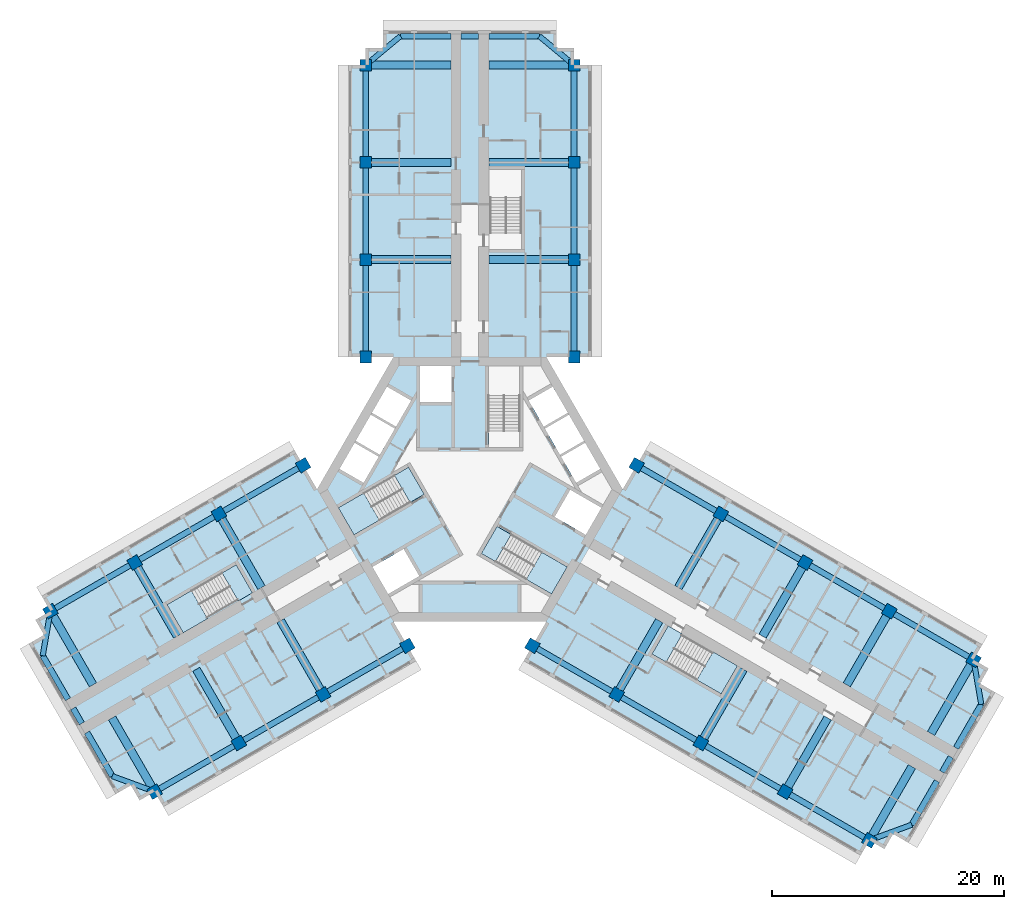
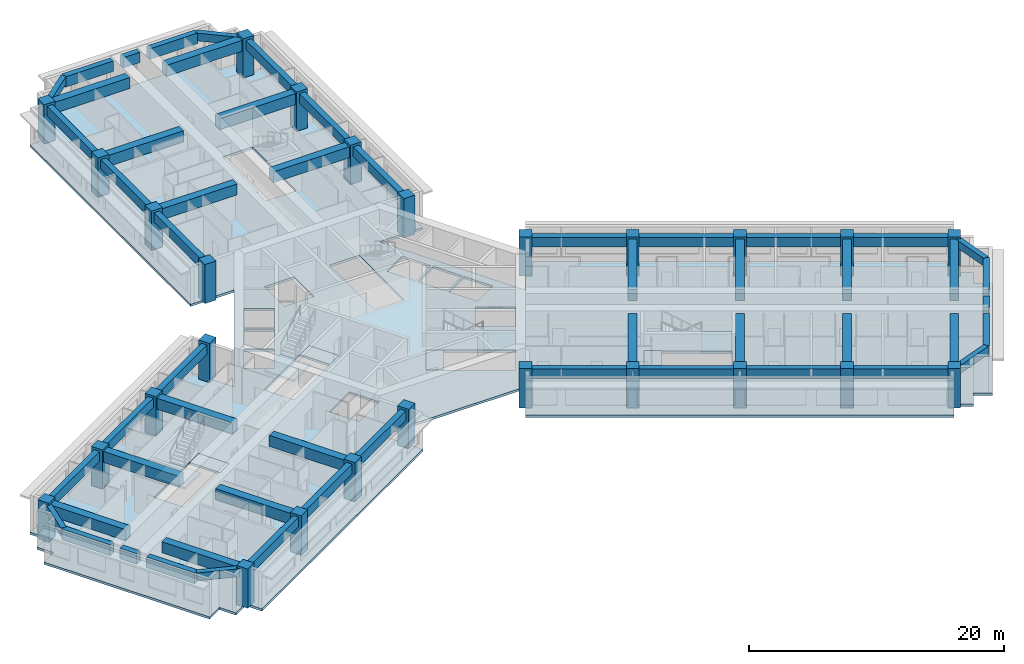
# One storey, part 1 of 13: 55 beams, 26 columns, 9 slabs, 4 elements without a shape of their own.
"""IFC4 building model written with IfcOpenShell, lengths in metres."""

from ifc_helpers import new_model, si_unit, direction, frame, origin, origin_2d, place, context, subcontext, project, spatial, polyline, rectangle, outline, extrude, material, layer, layer_set, material_profile, profile_set, type_object, element, aggregate, save


model = new_model("IFC4")

# Units and contexts
model_context = context("Model", 3, precision=1e-05, world=origin(), true_north=direction((0.0, 1.0)))
body_context = subcontext(model_context, "Body", "Model", "MODEL_VIEW")
ifc_project = project(units=[si_unit("LENGTHUNIT", "METRE"), si_unit("AREAUNIT", "SQUARE_METRE"), si_unit("VOLUMEUNIT", "CUBIC_METRE"), si_unit("PLANEANGLEUNIT", "RADIAN"), si_unit("MASSUNIT", "GRAM", prefix="KILO")], contexts=[model_context])

# Site, building, storey
site_placement = place(None, origin())
site = spatial("IfcSite", under=ifc_project, at=site_placement, CompositionType="ELEMENT")
building_placement = place(site_placement, origin())
building = spatial("IfcBuilding", under=site, at=building_placement, Name="Impinga Residences", CompositionType="ELEMENT")
storey_placement = place(building_placement, frame((0.0, 0.0, 136.0)))
storey = spatial("IfcBuildingStorey", under=building, at=storey_placement, Name="L33", CompositionType="ELEMENT", Elevation=136.0)

# Columns
ifc_material_1 = material(Name="Concrete C60/75", Category="concrete")
ifc_material_profile_1 = material_profile(ifc_material_1, rectangle(XDim=1.0, YDim=1.0, at=origin_2d()), Name="RC 1000x1000")
ifc_profile_set_1 = profile_set([ifc_material_profile_1], Name="Concrete C60/75")
column_type = type_object("IfcColumnType", Name="C3 1000x1000 column", PredefinedType="COLUMN", material=ifc_profile_set_1)
for number, where, z_axis, x_axis, name in (
    (1, (-9.0, 11.431640625, 0.0), (0.0, 0.0, 1.0), (1.0, 0.0, 0.0), "Column C3 N1/NA L33"),
    (2, (9.0, 11.431640625, 0.0), (0.0, 0.0, 1.0), (1.0, 0.0, 0.0), "Column C3 N1/NF L33"),
    (3, (-9.0, 19.83154296875, 0.0), (0.0, 0.0, 1.0), (1.0, 0.0, 0.0), "Column C3 N2/NA L33"),
    (4, (9.0, 19.83154296875, 0.0), (0.0, 0.0, 1.0), (1.0, 0.0, 0.0), "Column C3 N2/NF L33"),
    (5, (-9.0, 28.2314453125, 0.0), (0.0, 0.0, 1.0), (1.0, 0.0, 0.0), "Column C3 N3/NA L33"),
    (6, (9.0, 28.2314453125, 0.0), (0.0, 0.0, 1.0), (1.0, 0.0, 0.0), "Column C3 N3/NF L33"),
    (7, (-9.0, 36.631591796875, 0.0), (0.0, 0.0, 1.0), (1.0, 0.0, 0.0), "Column C3 N4/NA L33"),
    (8, (9.0, 36.631591796875, 0.0), (0.0, 0.0, 1.0), (1.0, 0.0, 0.0), "Column C3 N4/NF L33"),
    (9, (-5.39990234375, -13.510009765625, 0.0), (0.0, 0.0, 1.0), (-0.5, 0.866025403784, 0.0), "Column C3 W1/WA L33"),
    (10, (-14.39990234375, 2.078369140625, 0.0), (0.0, 0.0, 1.0), (-0.5, 0.866025403784, 0.0), "Column C3 W1/WF L33"),
    (11, (-12.674560546875, -17.7099609375, 0.0), (0.0, 0.0, 1.0), (-0.5, 0.866025403784, 0.0), "Column C3 W2/WA L33"),
    (12, (-21.674560546875, -2.12158203125, 0.0), (0.0, 0.0, 1.0), (-0.5, 0.866025403784, 0.0), "Column C3 W2/WF L33"),
    (13, (-19.94921875, -21.909912109375, 0.0), (0.0, 0.0, 1.0), (-0.5, 0.866025403784, 0.0), "Column C3 W3/WA L33"),
    (14, (-28.94921875, -6.321533203125, 0.0), (0.0, 0.0, 1.0), (-0.5, 0.866025403784, 0.0), "Column C3 W3/WF L33"),
    (15, (-27.223876953125, -26.110107421875, 0.0), (0.0, 0.0, 1.0), (-0.5, 0.866025403784, 0.0), "Column C3 W4/WA L33"),
    (16, (-36.223876953125, -10.521484375, 0.0), (0.0, 0.0, 1.0), (-0.5, 0.866025403784, 0.0), "Column C3 W4/WF L33"),
    (17, (14.39990234375, 2.078369140625, 0.0), (0.0, 0.0, 1.0), (-0.5, -0.866025403784, 0.0), "Column C3 E1/EA L33"),
    (18, (5.39990234375, -13.510009765625, 0.0), (0.0, 0.0, 1.0), (-0.5, -0.866025403784, 0.0), "Column C3 E1/EF L33"),
    (19, (21.674560546875, -2.12158203125, 0.0), (0.0, 0.0, 1.0), (-0.5, -0.866025403784, 0.0), "Column C3 E2/EA L33"),
    (20, (12.674560546875, -17.7099609375, 0.0), (0.0, 0.0, 1.0), (-0.5, -0.866025403784, 0.0), "Column C3 E2/EF L33"),
    (21, (28.94921875, -6.321533203125, 0.0), (0.0, 0.0, 1.0), (-0.5, -0.866025403784, 0.0), "Column C3 E3/EA L33"),
    (22, (19.94921875, -21.909912109375, 0.0), (0.0, 0.0, 1.0), (-0.5, -0.866025403784, 0.0), "Column C3 E3/EF L33"),
    (23, (36.223876953125, -10.521484375, 0.0), (0.0, 0.0, 1.0), (-0.5, -0.866025403784, 0.0), "Column C3 E4/EA L33"),
    (24, (27.223876953125, -26.110107421875, 0.0), (0.0, 0.0, 1.0), (-0.5, -0.866025403784, 0.0), "Column C3 E4/EF L33"),
    (25, (43.49853515625, -14.721435546875, 0.0), (0.0, 0.0, 1.0), (-0.5, -0.866025403784, 0.0), "Column C3 E5/EA L33"),
    (26, (34.49853515625, -30.31005859375, 0.0), (0.0, 0.0, 1.0), (-0.5, -0.866025403784, 0.0), "Column C3 E5/EF L33"),
):
    element("IfcColumn", number, at=place(storey_placement, frame(where, z_axis=z_axis, x_axis=x_axis)), inside=storey, type_object=column_type, Name=name, PredefinedType="COLUMN", context=body_context, shape_type="SweptSolid", body=[
        extrude(rectangle(XDim=1.0, YDim=1.0, at=origin_2d()), origin(), (0.0, 0.0, 1.0), 3.75),
    ])

# Beams
ifc_material_profile_2 = material_profile(ifc_material_1, rectangle(XDim=0.449951171875, YDim=0.75, at=origin_2d()), Name="RC 450x750")
ifc_profile_set_2 = profile_set([ifc_material_profile_2], Name="Concrete C60/75")
beam_type_1 = type_object("IfcBeamType", Name="CB1 450x750 wing end cantilever beam", PredefinedType="BEAM", material=ifc_profile_set_2)
for number, where, z_axis, x_axis, name in (
    (27, (-9.0, 36.631591796875, 3.155029296875), (0.768221279597, 0.640184399664, 0.0), (-0.640184399664, 0.768221279597, 0.0), "Beam CB1 NB N4-NX level L34"),
    (28, (9.0, 36.631591796875, 3.155029296875), (-0.768221279597, 0.640184399664, 0.0), (-0.640184399664, -0.768221279597, 0.0), "Beam CB1 NE N4-NX level L34"),
    (29, (-27.223876953125, -26.110107421875, 3.155029296875), (-0.938520178725, 0.345224382289, 0.0), (-0.345224382289, -0.938520178725, 0.0), "Beam CB1 WB W4-WX level L34"),
):
    element("IfcBeam", number, at=place(storey_placement, frame(where, z_axis=z_axis, x_axis=x_axis)), inside=storey, type_object=beam_type_1, Name=name, PredefinedType="BEAM", context=body_context, shape_type="SweptSolid", body=[
        extrude(rectangle(XDim=0.449951171875, YDim=0.75, at=origin_2d()), origin(), (0.0, 0.0, 1.0), 3.905029296875),
    ])
for number, where, z_axis, x_axis, name in (
    (30, (-36.223876953125, -10.521484375, 3.155029296875), (-0.170296298948, -0.985392901621, 0.0), (0.985392901621, -0.170296298948, 0.0), "Beam CB1 WE W4-WX level L34"),
    (31, (43.49853515625, -14.721435546875, 3.155029296875), (0.170296298948, -0.985392901621, 0.0), (0.985392901621, 0.170296298948, 0.0), "Beam CB1 EB E5-EX level L34"),
):
    element("IfcBeam", number, at=place(storey_placement, frame(where, z_axis=z_axis, x_axis=x_axis)), inside=storey, type_object=beam_type_1, Name=name, PredefinedType="BEAM", context=body_context, shape_type="SweptSolid", body=[
        extrude(rectangle(XDim=0.449951171875, YDim=0.75, at=origin_2d()), origin(), (0.0, 0.0, 1.0), 3.9052734375),
    ])
beam_1_placement = place(storey_placement, frame((34.49853515625, -30.31005859375, 3.155029296875), z_axis=(0.938520178725, 0.345224382289, 0.0), x_axis=(-0.345224382289, 0.938520178725, 0.0)))
element("IfcBeam", 32, at=beam_1_placement, inside=storey, type_object=beam_type_1, Name="Beam CB1 EE E5-EX level L34", PredefinedType="BEAM", context=body_context, shape_type="SweptSolid", body=[
    extrude(rectangle(XDim=0.449951171875, YDim=0.75, at=origin_2d()), origin(), (0.0, 0.0, 1.0), 3.905029296875),
])
ifc_material_profile_3 = material_profile(ifc_material_1, rectangle(XDim=0.699951171875, YDim=1.050048828125, at=origin_2d()), Name="RC 700x1050")
ifc_profile_set_3 = profile_set([ifc_material_profile_3], Name="Concrete C60/75")
beam_type_2 = type_object("IfcBeamType", Name="CG1 700x1050 cross girder on a wing bay line", PredefinedType="BEAM", material=ifc_profile_set_3)
for number, where, z_axis, x_axis, name in (
    (33, (-1.64990234375, 19.83154296875, 3.0048828125), (-1.0, 0.0, 0.0), (0.0, -1.0, 0.0), "Beam CG1 N2 NC/NA level L34"),
    (34, (-1.64990234375, 28.2314453125, 3.0048828125), (-1.0, 0.0, 0.0), (0.0, -1.0, 0.0), "Beam CG1 N3 NC/NA level L34"),
    (35, (-1.64990234375, 36.631591796875, 3.0048828125), (-1.0, 0.0, 0.0), (0.0, -1.0, 0.0), "Beam CG1 N4 NC/NA level L34"),
    (36, (1.64990234375, 19.83154296875, 3.0048828125), (1.0, 0.0, 0.0), (0.0, 1.0, 0.0), "Beam CG1 N2 NC/NF level L34"),
    (37, (1.64990234375, 28.2314453125, 3.0048828125), (1.0, 0.0, 0.0), (0.0, 1.0, 0.0), "Beam CG1 N3 NC/NF level L34"),
    (38, (1.64990234375, 36.631591796875, 3.0048828125), (1.0, 0.0, 0.0), (0.0, 1.0, 0.0), "Beam CG1 N4 NC/NF level L34"),
    (39, (-16.349609375, -11.3447265625, 3.0048828125), (0.500008066151, -0.86602074674, 0.0), (0.86602074674, 0.500008066151, 0.0), "Beam CG1 W2 WC/WA level L34"),
    (40, (-23.624267578125, -15.544677734375, 3.0048828125), (0.500008066151, -0.86602074674, 0.0), (0.86602074674, 0.500008066151, 0.0), "Beam CG1 W3 WC/WA level L34"),
    (41, (-30.89892578125, -19.74462890625, 3.0048828125), (0.499993683172, -0.866029050776, 0.0), (0.866029050776, 0.499993683172, 0.0), "Beam CG1 W4 WC/WA level L34"),
    (42, (-17.99951171875, -8.48681640625, 3.0048828125), (-0.500008066151, 0.86602074674, 0.0), (-0.86602074674, -0.500008066151, 0.0), "Beam CG1 W2 WC/WF level L34"),
    (43, (-25.274169921875, -12.686767578125, 3.0048828125), (-0.500008066151, 0.86602074674, 0.0), (-0.86602074674, -0.500008066151, 0.0), "Beam CG1 W3 WC/WF level L34"),
    (44, (-32.548828125, -16.88671875, 3.0048828125), (-0.500008066151, 0.86602074674, 0.0), (-0.86602074674, -0.500008066151, 0.0), "Beam CG1 W4 WC/WF level L34"),
    (45, (17.99951171875, -8.48681640625, 3.0048828125), (0.500008066151, 0.86602074674, 0.0), (-0.86602074674, 0.500008066151, 0.0), "Beam CG1 E2 EC/EA level L34"),
    (46, (25.274169921875, -12.686767578125, 3.0048828125), (0.500008066151, 0.86602074674, 0.0), (-0.86602074674, 0.500008066151, 0.0), "Beam CG1 E3 EC/EA level L34"),
    (47, (32.548828125, -16.88671875, 3.0048828125), (0.500008066151, 0.86602074674, 0.0), (-0.86602074674, 0.500008066151, 0.0), "Beam CG1 E4 EC/EA level L34"),
    (48, (39.823486328125, -21.0869140625, 3.0048828125), (0.499993683172, 0.866029050776, 0.0), (-0.866029050776, 0.499993683172, 0.0), "Beam CG1 E5 EC/EA level L34"),
    (49, (16.349609375, -11.3447265625, 3.0048828125), (-0.500008066151, -0.86602074674, 0.0), (0.86602074674, -0.500008066151, 0.0), "Beam CG1 E2 EC/EF level L34"),
    (50, (23.624267578125, -15.544677734375, 3.0048828125), (-0.500008066151, -0.86602074674, 0.0), (0.86602074674, -0.500008066151, 0.0), "Beam CG1 E3 EC/EF level L34"),
    (51, (30.89892578125, -19.74462890625, 3.0048828125), (-0.499993683172, -0.866029050776, 0.0), (0.866029050776, -0.499993683172, 0.0), "Beam CG1 E4 EC/EF level L34"),
):
    element("IfcBeam", number, at=place(storey_placement, frame(where, z_axis=z_axis, x_axis=x_axis)), inside=storey, type_object=beam_type_2, Name=name, PredefinedType="BEAM", context=body_context, shape_type="SweptSolid", body=[
        extrude(rectangle(XDim=0.699951171875, YDim=1.050048828125, at=origin_2d()), origin(), (0.0, 0.0, 1.0), 7.35009765625),
    ])
beam_2_placement = place(storey_placement, frame((38.17333984375, -23.94482421875, 3.0048828125), z_axis=(-0.499983153418, -0.866035129944, 0.0), x_axis=(0.866035129944, -0.499983153418, 0.0)))
element("IfcBeam", 52, at=beam_2_placement, inside=storey, type_object=beam_type_2, Name="Beam CG1 E5 EC/EF level L34", PredefinedType="BEAM", context=body_context, shape_type="SweptSolid", body=[
    extrude(rectangle(XDim=0.699951171875, YDim=1.050048828125, at=origin_2d()), origin(), (0.0, 0.0, 1.0), 7.349853515625),
])
ifc_material_profile_4 = material_profile(ifc_material_1, rectangle(XDim=0.5, YDim=1.0, at=origin_2d()), Name="RC 500x1000")
ifc_profile_set_4 = profile_set([ifc_material_profile_4], Name="Concrete C60/75")
beam_type_3 = type_object("IfcBeamType", Name="EB1 500x1000 wing end beam", PredefinedType="BEAM", material=ifc_profile_set_4)
beam_3_placement = place(storey_placement, frame((-6.0, 39.131591796875, 3.030029296875), z_axis=(1.0, 0.0, 0.0), x_axis=(0.0, 1.0, 0.0)))
element("IfcBeam", 53, at=beam_3_placement, inside=storey, type_object=beam_type_3, Name="Beam EB1 NX3 level L34", PredefinedType="BEAM", context=body_context, shape_type="SweptSolid", body=[
    extrude(rectangle(XDim=0.5, YDim=1.0, at=origin_2d()), origin(), (0.0, 0.0, 1.0), 4.35009765625),
])
beam_4_placement = place(storey_placement, frame((-0.75, 39.131591796875, 3.030029296875), z_axis=(1.0, 0.0, 0.0), x_axis=(0.0, 1.0, 0.0)))
element("IfcBeam", 54, at=beam_4_placement, inside=storey, type_object=beam_type_3, Name="Beam EB1 NX3 level L34", PredefinedType="BEAM", context=body_context, shape_type="SweptSolid", body=[
    extrude(rectangle(XDim=0.5, YDim=1.0, at=origin_2d()), origin(), (0.0, 0.0, 1.0), 1.5),
])
for number, where, z_axis, x_axis, name in (
    (55, (1.64990234375, 39.131591796875, 3.030029296875), (1.0, 0.0, 0.0), (0.0, 1.0, 0.0), "Beam EB1 NX3 level L34"),
    (56, (-30.888916015625, -24.761962890625, 3.030029296875), (-0.499996127374, 0.866027639635, 0.0), (-0.866027639635, -0.499996127374, 0.0), "Beam EB1 WX3 level L34"),
):
    element("IfcBeam", number, at=place(storey_placement, frame(where, z_axis=z_axis, x_axis=x_axis)), inside=storey, type_object=beam_type_3, Name=name, PredefinedType="BEAM", context=body_context, shape_type="SweptSolid", body=[
        extrude(rectangle(XDim=0.5, YDim=1.0, at=origin_2d()), origin(), (0.0, 0.0, 1.0), 4.35009765625),
    ])
beam_5_placement = place(storey_placement, frame((-33.513916015625, -20.21533203125, 3.030029296875), z_axis=(-0.499990139034, 0.866031096941, 0.0), x_axis=(-0.866031096941, -0.499990139034, 0.0)))
element("IfcBeam", 57, at=beam_5_placement, inside=storey, type_object=beam_type_3, Name="Beam EB1 WX3 level L34", PredefinedType="BEAM", context=body_context, shape_type="SweptSolid", body=[
    extrude(rectangle(XDim=0.5, YDim=1.0, at=origin_2d()), origin(), (0.0, 0.0, 1.0), 1.5),
])
beam_6_placement = place(storey_placement, frame((-34.7138671875, -18.13671875, 3.030029296875), z_axis=(-0.500020430026, 0.866013608182, 0.0), x_axis=(-0.866013608182, -0.500020430026, 0.0)))
element("IfcBeam", 58, at=beam_6_placement, inside=storey, type_object=beam_type_3, Name="Beam EB1 WX3 level L34", PredefinedType="BEAM", context=body_context, shape_type="SweptSolid", body=[
    extrude(rectangle(XDim=0.5, YDim=1.0, at=origin_2d()), origin(), (0.0, 0.0, 1.0), 4.349853515625),
])
beam_7_placement = place(storey_placement, frame((44.16357421875, -18.569580078125, 3.030029296875), z_axis=(-0.499996127374, -0.866027639635, 0.0), x_axis=(0.866027639635, -0.499996127374, 0.0)))
element("IfcBeam", 59, at=beam_7_placement, inside=storey, type_object=beam_type_3, Name="Beam EB1 EX4 level L34", PredefinedType="BEAM", context=body_context, shape_type="SweptSolid", body=[
    extrude(rectangle(XDim=0.5, YDim=1.0, at=origin_2d()), origin(), (0.0, 0.0, 1.0), 4.35009765625),
])
beam_8_placement = place(storey_placement, frame((41.53857421875, -23.1162109375, 3.030029296875), z_axis=(-0.499990139034, -0.866031096941, 0.0), x_axis=(0.866031096941, -0.499990139034, 0.0)))
element("IfcBeam", 60, at=beam_8_placement, inside=storey, type_object=beam_type_3, Name="Beam EB1 EX4 level L34", PredefinedType="BEAM", context=body_context, shape_type="SweptSolid", body=[
    extrude(rectangle(XDim=0.5, YDim=1.0, at=origin_2d()), origin(), (0.0, 0.0, 1.0), 1.5),
])
beam_9_placement = place(storey_placement, frame((40.338623046875, -25.19482421875, 3.030029296875), z_axis=(-0.500020430026, -0.866013608182, 0.0), x_axis=(0.866013608182, -0.500020430026, 0.0)))
element("IfcBeam", 61, at=beam_9_placement, inside=storey, type_object=beam_type_3, Name="Beam EB1 EX4 level L34", PredefinedType="BEAM", context=body_context, shape_type="SweptSolid", body=[
    extrude(rectangle(XDim=0.5, YDim=1.0, at=origin_2d()), origin(), (0.0, 0.0, 1.0), 4.349853515625),
])
ifc_material_profile_5 = material_profile(ifc_material_1, rectangle(XDim=0.5, YDim=0.89990234375, at=origin_2d()), Name="RC 500x900")
ifc_profile_set_5 = profile_set([ifc_material_profile_5], Name="Concrete C60/75")
beam_type_4 = type_object("IfcBeamType", Name="SB1 500x900 perimeter spandrel beam", PredefinedType="SPANDREL", material=ifc_profile_set_5)
for number, where, z_axis, x_axis, name in (
    (62, (-9.0, 11.431640625, 3.080078125), (0.0, 1.0, 0.0), (-1.0, 0.0, 0.0), "Beam SB1 NA N1-N2 level L34"),
    (63, (-9.0, 19.83154296875, 3.080078125), (0.0, 1.0, 0.0), (-1.0, 0.0, 0.0), "Beam SB1 NA N2-N3 level L34"),
):
    element("IfcBeam", number, at=place(storey_placement, frame(where, z_axis=z_axis, x_axis=x_axis)), inside=storey, type_object=beam_type_4, Name=name, PredefinedType="SPANDREL", context=body_context, shape_type="SweptSolid", body=[
        extrude(rectangle(XDim=0.5, YDim=0.89990234375, at=origin_2d()), origin(), (0.0, 0.0, 1.0), 8.39990234375),
    ])
beam_10_placement = place(storey_placement, frame((-9.0, 28.2314453125, 3.080078125), z_axis=(0.0, 1.0, 0.0), x_axis=(-1.0, 0.0, 0.0)))
element("IfcBeam", 64, at=beam_10_placement, inside=storey, type_object=beam_type_4, Name="Beam SB1 NA N3-N4 level L34", PredefinedType="SPANDREL", context=body_context, shape_type="SweptSolid", body=[
    extrude(rectangle(XDim=0.5, YDim=0.89990234375, at=origin_2d()), origin(), (0.0, 0.0, 1.0), 8.400146484375),
])
for number, where, z_axis, x_axis, name in (
    (65, (9.0, 11.431640625, 3.080078125), (0.0, 1.0, 0.0), (-1.0, 0.0, 0.0), "Beam SB1 NF N1-N2 level L34"),
    (66, (9.0, 19.83154296875, 3.080078125), (0.0, 1.0, 0.0), (-1.0, 0.0, 0.0), "Beam SB1 NF N2-N3 level L34"),
):
    element("IfcBeam", number, at=place(storey_placement, frame(where, z_axis=z_axis, x_axis=x_axis)), inside=storey, type_object=beam_type_4, Name=name, PredefinedType="SPANDREL", context=body_context, shape_type="SweptSolid", body=[
        extrude(rectangle(XDim=0.5, YDim=0.89990234375, at=origin_2d()), origin(), (0.0, 0.0, 1.0), 8.39990234375),
    ])
beam_11_placement = place(storey_placement, frame((9.0, 28.2314453125, 3.080078125), z_axis=(0.0, 1.0, 0.0), x_axis=(-1.0, 0.0, 0.0)))
element("IfcBeam", 67, at=beam_11_placement, inside=storey, type_object=beam_type_4, Name="Beam SB1 NF N3-N4 level L34", PredefinedType="SPANDREL", context=body_context, shape_type="SweptSolid", body=[
    extrude(rectangle(XDim=0.5, YDim=0.89990234375, at=origin_2d()), origin(), (0.0, 0.0, 1.0), 8.400146484375),
])
for number, where, z_axis, x_axis, name in (
    (68, (-5.39990234375, -13.510009765625, 3.080078125), (-0.86602925447, -0.499993330357, 0.0), (0.499993330357, -0.86602925447, 0.0), "Beam SB1 WA W1-W2 level L34"),
    (69, (-12.674560546875, -17.7099609375, 3.080078125), (-0.86602925447, -0.499993330357, 0.0), (0.499993330357, -0.86602925447, 0.0), "Beam SB1 WA W2-W3 level L34"),
):
    element("IfcBeam", number, at=place(storey_placement, frame(where, z_axis=z_axis, x_axis=x_axis)), inside=storey, type_object=beam_type_4, Name=name, PredefinedType="SPANDREL", context=body_context, shape_type="SweptSolid", body=[
        extrude(rectangle(XDim=0.5, YDim=0.89990234375, at=origin_2d()), origin(), (0.0, 0.0, 1.0), 8.39990234375),
    ])
beam_12_placement = place(storey_placement, frame((-19.94921875, -21.909912109375, 3.080078125), z_axis=(-0.866016669275, -0.500015128309, 0.0), x_axis=(0.500015128309, -0.866016669275, 0.0)))
element("IfcBeam", 70, at=beam_12_placement, inside=storey, type_object=beam_type_4, Name="Beam SB1 WA W3-W4 level L34", PredefinedType="SPANDREL", context=body_context, shape_type="SweptSolid", body=[
    extrude(rectangle(XDim=0.5, YDim=0.89990234375, at=origin_2d()), origin(), (0.0, 0.0, 1.0), 8.400146484375),
])
for number, where, z_axis, x_axis, name in (
    (71, (-14.39990234375, 2.078369140625, 3.080078125), (-0.86602925447, -0.499993330357, 0.0), (0.499993330357, -0.86602925447, 0.0), "Beam SB1 WF W1-W2 level L34"),
    (72, (-21.674560546875, -2.12158203125, 3.080078125), (-0.86602925447, -0.499993330357, 0.0), (0.499993330357, -0.86602925447, 0.0), "Beam SB1 WF W2-W3 level L34"),
    (73, (-28.94921875, -6.321533203125, 3.080078125), (-0.86602925447, -0.499993330357, 0.0), (0.499993330357, -0.86602925447, 0.0), "Beam SB1 WF W3-W4 level L34"),
    (74, (14.39990234375, 2.078369140625, 3.080078125), (0.86602925447, -0.499993330357, 0.0), (0.499993330357, 0.86602925447, 0.0), "Beam SB1 EA E1-E2 level L34"),
    (75, (21.674560546875, -2.12158203125, 3.080078125), (0.86602925447, -0.499993330357, 0.0), (0.499993330357, 0.86602925447, 0.0), "Beam SB1 EA E2-E3 level L34"),
    (76, (28.94921875, -6.321533203125, 3.080078125), (0.86602925447, -0.499993330357, 0.0), (0.499993330357, 0.86602925447, 0.0), "Beam SB1 EA E3-E4 level L34"),
    (77, (36.223876953125, -10.521484375, 3.080078125), (0.86602925447, -0.499993330357, 0.0), (0.499993330357, 0.86602925447, 0.0), "Beam SB1 EA E4-E5 level L34"),
    (78, (5.39990234375, -13.510009765625, 3.080078125), (0.86602925447, -0.499993330357, 0.0), (0.499993330357, 0.86602925447, 0.0), "Beam SB1 EF E1-E2 level L34"),
    (79, (12.674560546875, -17.7099609375, 3.080078125), (0.86602925447, -0.499993330357, 0.0), (0.499993330357, 0.86602925447, 0.0), "Beam SB1 EF E2-E3 level L34"),
):
    element("IfcBeam", number, at=place(storey_placement, frame(where, z_axis=z_axis, x_axis=x_axis)), inside=storey, type_object=beam_type_4, Name=name, PredefinedType="SPANDREL", context=body_context, shape_type="SweptSolid", body=[
        extrude(rectangle(XDim=0.5, YDim=0.89990234375, at=origin_2d()), origin(), (0.0, 0.0, 1.0), 8.39990234375),
    ])
beam_13_placement = place(storey_placement, frame((19.94921875, -21.909912109375, 3.080078125), z_axis=(0.866016669275, -0.500015128309, 0.0), x_axis=(0.500015128309, 0.866016669275, 0.0)))
element("IfcBeam", 80, at=beam_13_placement, inside=storey, type_object=beam_type_4, Name="Beam SB1 EF E3-E4 level L34", PredefinedType="SPANDREL", context=body_context, shape_type="SweptSolid", body=[
    extrude(rectangle(XDim=0.5, YDim=0.89990234375, at=origin_2d()), origin(), (0.0, 0.0, 1.0), 8.400146484375),
])
beam_14_placement = place(storey_placement, frame((27.223876953125, -26.110107421875, 3.080078125), z_axis=(0.86602925447, -0.499993330357, 0.0), x_axis=(0.499993330357, 0.86602925447, 0.0)))
element("IfcBeam", 81, at=beam_14_placement, inside=storey, type_object=beam_type_4, Name="Beam SB1 EF E4-E5 level L34", PredefinedType="SPANDREL", context=body_context, shape_type="SweptSolid", body=[
    extrude(rectangle(XDim=0.5, YDim=0.89990234375, at=origin_2d()), origin(), (0.0, 0.0, 1.0), 8.39990234375),
])

# Slab
ifc_layer_1 = layer(ifc_material_1, 0.219970703125)
ifc_layer_set_1 = layer_set([ifc_layer_1], Name="Concrete C60/75")
slab_type_1 = type_object("IfcSlabType", Name="FS1 tower floor slab 220", PredefinedType="FLOOR", material=ifc_layer_set_1)
slab_1_placement = place(storey_placement, frame((0.0, 0.0, -0.219970703125)))
element("IfcSlab", 82, at=slab_1_placement, inside=storey, type_object=slab_type_1, Name="Floor slab FS1 L33", PredefinedType="FLOOR", context=body_context, shape_type="SweptSolid", body=[
    extrude(outline(polyline([(43.49853515625, -14.721435546875), (44.797607421875, -15.471435546875), (44.047607421875, -16.7705078125), (45.346435546875, -17.5205078125), (37.846435546875, -30.510986328125), (36.547607421875, -29.760986328125), (35.797607421875, -31.06005859375), (34.49853515625, -30.31005859375), (33.74853515625, -31.609130859375), (4.64990234375, -14.80908203125), (9.900146484375, -5.7158203125), (6.60009765625, -11.431640625), (-6.60009765625, -11.431640625), (-9.900146484375, -5.7158203125), (-4.64990234375, -14.80908203125), (-26.473876953125, -27.408935546875), (-27.223876953125, -26.110107421875), (-28.52294921875, -26.860107421875), (-29.27294921875, -25.56103515625), (-30.572021484375, -26.31103515625), (-38.072021484375, -13.320556640625), (-36.77294921875, -12.570556640625), (-37.52294921875, -11.271484375), (-36.223876953125, -10.521484375), (-36.973876953125, -9.222412109375), (-15.14990234375, 3.37744140625), (-13.199951171875, 0.0), (-6.60009765625, 11.431640625), (-10.5, 11.431640625), (-10.5, 36.631591796875), (-9.0, 36.631591796875), (-9.0, 38.131591796875), (-7.5, 38.131591796875), (-7.5, 39.631591796875), (7.5, 39.631591796875), (7.5, 38.131591796875), (9.0, 38.131591796875), (9.0, 36.631591796875), (10.5, 36.631591796875), (10.5, 11.431640625), (6.60009765625, 11.431640625), (13.199951171875, 0.0), (15.14990234375, 3.37744140625), (44.24853515625, -13.422607421875), (43.49853515625, -14.721435546875)]), holes=[polyline([(-18.779052734375, -8.936767578125), (-18.8291015625, -8.850341796875), (-18.8291015625, -8.850341796875), (-20.178955078125, -6.511962890625), (-21.391357421875, -7.2119140625), (-21.391357421875, -7.2119140625), (-26.154541015625, -9.9619140625), (-24.8046875, -12.30029296875), (-20.04150390625, -9.55029296875), (-19.991455078125, -9.63671875), (-18.779052734375, -8.936767578125)]), polyline([(-4.37109375, -7.489013671875), (-5.72119140625, -5.150634765625), (-8.4072265625, -6.701416015625), (-7.05712890625, -9.039794921875), (-4.37109375, -7.489013671875)]), polyline([(-3.943603515625, -0.429443359375), (-5.293701171875, 1.908935546875), (-11.357177734375, -1.591796875), (-10.007080078125, -3.93017578125), (-3.943603515625, -0.429443359375)]), polyline([(-7.878662109375, 2.816650390625), (-9.957275390625, 4.016845703125), (-11.257080078125, 1.76513671875), (-9.1787109375, 0.56494140625), (-7.878662109375, 2.816650390625)]), polyline([(-6.478759765625, 5.24169921875), (-8.55712890625, 6.441650390625), (-9.857177734375, 4.18994140625), (-7.77880859375, 2.989990234375), (-6.478759765625, 5.24169921875)]), polyline([(4.300048828125, 3.6298828125), (4.300048828125, 10.631591796875), (1.60009765625, 10.631591796875), (1.60009765625, 3.6298828125), (4.300048828125, 3.6298828125)]), polyline([(-6.378662109375, 5.414794921875), (-5.07861328125, 7.66650390625), (-7.1572265625, 8.866455078125), (-8.457275390625, 6.61474609375), (-6.378662109375, 5.414794921875)]), polyline([(-4.300048828125, 7.530029296875), (-1.60009765625, 7.530029296875), (-1.60009765625, 10.631591796875), (-4.300048828125, 10.631591796875), (-4.300048828125, 7.530029296875)]), polyline([(4.449951171875, 20.7314453125), (4.449951171875, 22.131591796875), (4.449951171875, 27.631591796875), (1.75, 27.631591796875), (1.75, 22.131591796875), (1.64990234375, 22.131591796875), (1.64990234375, 20.7314453125), (1.75, 20.7314453125), (4.449951171875, 20.7314453125)]), polyline([(15.72900390625, -14.219482421875), (21.70458984375, -17.669677734375), (23.0546875, -15.331298828125), (18.29150390625, -12.581298828125), (18.341552734375, -12.49462890625), (17.129150390625, -11.794677734375), (15.72900390625, -14.219482421875)]), polyline([(2.34375, -3.20068359375), (0.99365234375, -5.538818359375), (7.05712890625, -9.039794921875), (8.4072265625, -6.701416015625), (2.34375, -3.20068359375)]), polyline([(7.3212890625, -2.37939453125), (10.007080078125, -3.93017578125), (11.357177734375, -1.591796875), (8.671142578125, -0.041015625), (7.3212890625, -2.37939453125)]), polyline([(7.878662109375, 2.816650390625), (9.1787109375, 0.56494140625), (11.257080078125, 1.76513671875), (9.957275390625, 4.016845703125), (7.878662109375, 2.816650390625)]), polyline([(6.478759765625, 5.24169921875), (7.77880859375, 2.989990234375), (9.857177734375, 4.18994140625), (8.55712890625, 6.441650390625), (6.478759765625, 5.24169921875)]), polyline([(6.378662109375, 5.414794921875), (8.457275390625, 6.61474609375), (7.1572265625, 8.866455078125), (5.07861328125, 7.66650390625), (6.378662109375, 5.414794921875)])]), origin(), (0.0, 0.0, 1.0), 0.219970703125),
])

# Stair, slabs
ifc_material_2 = material(Name="Concrete C40/50", Category="concrete")
stair_type_1 = type_object("IfcStairType", Name="STR core stair 3750 storey, 24 risers", PredefinedType="HALF_TURN_STAIR", material=ifc_material_2)
stair_1_placement = place(storey_placement, origin())
stair_1 = element("IfcStair", 83, at=stair_1_placement, inside=storey, type_object=stair_type_1, Name="Stair ST2 L33", PredefinedType="HALF_TURN_STAIR")
ifc_layer_2 = layer(ifc_material_2, 0.199951171875)
ifc_layer_set_2 = layer_set([ifc_layer_2], Name="Concrete C40/50")
slab_type_2 = type_object("IfcSlabType", Name="LS1 stair landing 200", PredefinedType="LANDING", material=ifc_layer_set_2)
slab_2_placement = place(storey_placement, frame((0.0, 0.0, -0.199951171875)))
slab_2 = element("IfcSlab", 84, at=slab_2_placement, type_object=slab_type_2, Name="ST2 landing 1", PredefinedType="LANDING", context=body_context, shape_type="SweptSolid", body=[
    extrude(outline(polyline([(-3.943603515625, -0.429443359375), (-5.293701171875, 1.908935546875), (-6.5146484375, 1.203857421875), (-5.164794921875, -1.13427734375), (-3.943603515625, -0.429443359375)])), origin(), (0.0, 0.0, 1.0), 0.199951171875),
])
slab_3_placement = place(storey_placement, frame((0.0, 0.0, 1.675048828125)))
slab_3 = element("IfcSlab", 85, at=slab_3_placement, type_object=slab_type_2, Name="ST2 landing 2", PredefinedType="LANDING", context=body_context, shape_type="SweptSolid", body=[
    extrude(outline(polyline([(-7.814697265625, -2.664306640625), (-9.164794921875, -0.326171875), (-11.357177734375, -1.591796875), (-10.007080078125, -3.93017578125), (-7.814697265625, -2.664306640625)])), origin(), (0.0, 0.0, 1.0), 0.199951171875),
])
aggregate(stair_1, [slab_2, slab_3])

stair_2_placement = place(storey_placement, origin())
stair_2 = element("IfcStair", 86, at=stair_2_placement, inside=storey, type_object=stair_type_1, Name="Stair ST3 L33", PredefinedType="HALF_TURN_STAIR")
slab_4_placement = place(storey_placement, frame((0.0, 0.0, -0.199951171875)))
slab_4 = element("IfcSlab", 87, at=slab_4_placement, type_object=slab_type_2, Name="ST3 landing 1", PredefinedType="LANDING", context=body_context, shape_type="SweptSolid", body=[
    extrude(outline(polyline([(2.34375, -3.20068359375), (0.99365234375, -5.538818359375), (2.21484375, -6.243896484375), (3.564697265625, -3.90576171875), (2.34375, -3.20068359375)])), origin(), (0.0, 0.0, 1.0), 0.199951171875),
])
slab_5_placement = place(storey_placement, frame((0.0, 0.0, 1.675048828125)))
slab_5 = element("IfcSlab", 88, at=slab_5_placement, type_object=slab_type_2, Name="ST3 landing 2", PredefinedType="LANDING", context=body_context, shape_type="SweptSolid", body=[
    extrude(outline(polyline([(6.21484375, -5.435546875), (4.86474609375, -7.77392578125), (7.05712890625, -9.039794921875), (8.4072265625, -6.701416015625), (6.21484375, -5.435546875)])), origin(), (0.0, 0.0, 1.0), 0.199951171875),
])
aggregate(stair_2, [slab_4, slab_5])

stair_type_2 = type_object("IfcStairType", Name="STR wing stair 3750 storey, 24 risers", PredefinedType="HALF_TURN_STAIR", material=ifc_material_2)
stair_3_placement = place(storey_placement, origin())
stair_3 = element("IfcStair", 89, at=stair_3_placement, inside=storey, type_object=stair_type_2, Name="Stair WS2 L33", PredefinedType="HALF_TURN_STAIR")
slab_6_placement = place(storey_placement, frame((0.0, 0.0, -0.199951171875)))
slab_6 = element("IfcSlab", 90, at=slab_6_placement, type_object=slab_type_2, Name="WS2 landing 1", PredefinedType="LANDING", context=body_context, shape_type="SweptSolid", body=[
    extrude(outline(polyline([(-18.779052734375, -8.936767578125), (-20.178955078125, -6.511962890625), (-21.400146484375, -7.217041015625), (-20.000244140625, -9.641845703125), (-18.779052734375, -8.936767578125)])), origin(), (0.0, 0.0, 1.0), 0.199951171875),
])
slab_7_placement = place(storey_placement, frame((0.0, 0.0, 1.675048828125)))
slab_7 = element("IfcSlab", 91, at=slab_7_placement, type_object=slab_type_2, Name="WS2 landing 2", PredefinedType="LANDING", context=body_context, shape_type="SweptSolid", body=[
    extrude(outline(polyline([(-22.650146484375, -11.171875), (-24.050048828125, -8.7470703125), (-26.154541015625, -9.9619140625), (-24.754638671875, -12.38671875), (-22.650146484375, -11.171875)])), origin(), (0.0, 0.0, 1.0), 0.199951171875),
])
aggregate(stair_3, [slab_6, slab_7])

stair_4_placement = place(storey_placement, origin())
stair_4 = element("IfcStair", 92, at=stair_4_placement, inside=storey, type_object=stair_type_2, Name="Stair WS3 L33", PredefinedType="HALF_TURN_STAIR")
slab_8_placement = place(storey_placement, frame((0.0, 0.0, -0.199951171875)))
slab_8 = element("IfcSlab", 93, at=slab_8_placement, type_object=slab_type_2, Name="WS3 landing 1", PredefinedType="LANDING", context=body_context, shape_type="SweptSolid", body=[
    extrude(outline(polyline([(17.129150390625, -11.794677734375), (15.72900390625, -14.219482421875), (16.9501953125, -14.924560546875), (18.35009765625, -12.499755859375), (17.129150390625, -11.794677734375)])), origin(), (0.0, 0.0, 1.0), 0.199951171875),
])
slab_9_placement = place(storey_placement, frame((0.0, 0.0, 1.675048828125)))
slab_9 = element("IfcSlab", 94, at=slab_9_placement, type_object=slab_type_2, Name="WS3 landing 2", PredefinedType="LANDING", context=body_context, shape_type="SweptSolid", body=[
    extrude(outline(polyline([(21.000244140625, -14.02978515625), (19.60009765625, -16.45458984375), (21.70458984375, -17.669677734375), (23.1044921875, -15.24462890625), (21.000244140625, -14.02978515625)])), origin(), (0.0, 0.0, 1.0), 0.199951171875),
])
aggregate(stair_4, [slab_8, slab_9])

save(model, "model.ifc")
